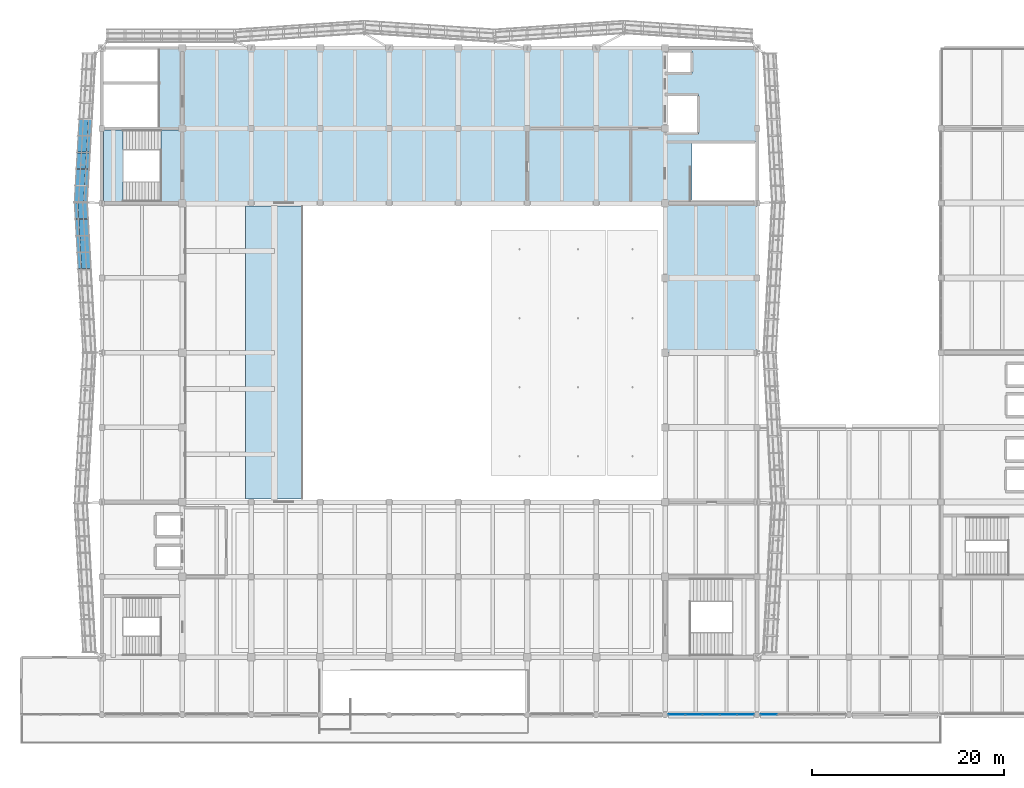
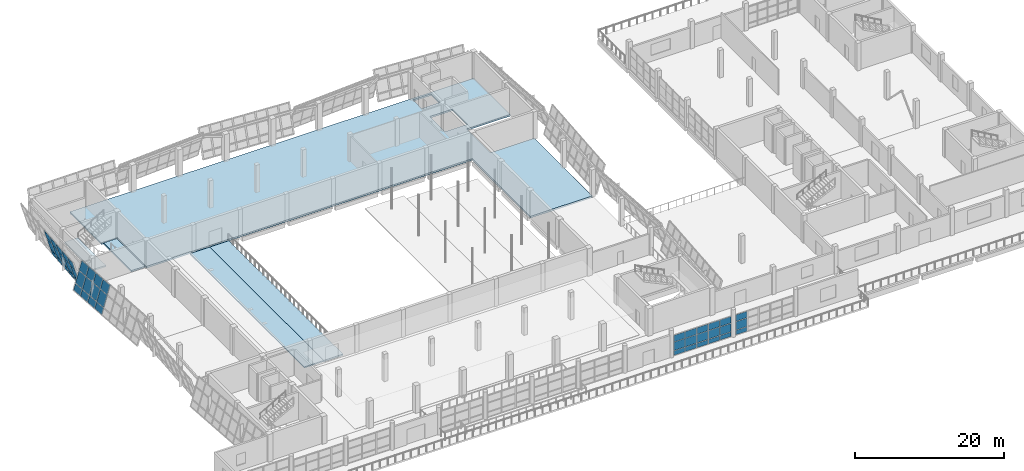
# One storey, part 40 of 71: 45 plates, 5 slabs, 5 elements without a shape of their own.
"""IFC4 building model written with IfcOpenShell, lengths in metres."""

from ifc_helpers import new_model, si_unit, direction, frame, origin, place, context, subcontext, project, spatial, polyline, outline, extrude, material, layer, layer_set, type_object, element, aggregate, save


model = new_model("IFC4")

# Units and contexts
model_context = context("Model", 3, precision=1e-05, world=origin(), true_north=direction((0.0, 1.0)))
body_context = subcontext(model_context, "Body", "Model", "MODEL_VIEW")
ifc_project = project(units=[si_unit("LENGTHUNIT", "METRE"), si_unit("AREAUNIT", "SQUARE_METRE"), si_unit("VOLUMEUNIT", "CUBIC_METRE"), si_unit("PLANEANGLEUNIT", "RADIAN"), si_unit("MASSUNIT", "GRAM", prefix="KILO")], contexts=[model_context])

# Site, building, storey
site_placement = place(None, origin())
site = spatial("IfcSite", under=ifc_project, at=site_placement, CompositionType="ELEMENT")
building_placement = place(site_placement, origin())
building = spatial("IfcBuilding", under=site, at=building_placement, Name="Pellamere Symphony Hall", CompositionType="ELEMENT")
storey_placement = place(building_placement, frame((0.0, 0.0, 15.0)))
storey = spatial("IfcBuildingStorey", under=building, at=storey_placement, Name="L03", CompositionType="ELEMENT", Elevation=15.0)

# Curtain wall, plates
ifc_material_1 = material(Name="Thermally Broken Anodised Aluminium 6063-T6 Curtain Wall", Category="aluminium")
curtain_wall_type_1 = type_object("IfcCurtainWallType", Name="Curtain Wall CW-02 (Winter-Garden South Concourse Curtain Wall)", PredefinedType="NOTDEFINED", material=ifc_material_1)
curtain_wall_1_placement = place(storey_placement, origin())
curtain_wall_1 = element("IfcCurtainWall", 1, at=curtain_wall_1_placement, inside=storey, type_object=curtain_wall_type_1, Name="Winter-Garden South Curtain Wall (L03 Bay 10)", PredefinedType="NOTDEFINED")
ifc_material_2 = material(Name="Triple Low-E Argon Acoustic Glazing 36mm", Category="glass")
ifc_layer_1 = layer(ifc_material_2, 0.035888671875, Name="Triple Low-E Argon Acoustic Glazing 36mm")
ifc_layer_set_1 = layer_set([ifc_layer_1], Name="Triple Low-E Argon Acoustic Glazing 36mm")
plate_type_1 = type_object("IfcPlateType", Name="Facade Panel GL-01 36mm", PredefinedType="CURTAIN_PANEL", material=ifc_layer_set_1)
plate_1_placement = place(storey_placement, frame((109.56494140625, 24.0, 0.06494140625), z_axis=(0.0, -1.0, 0.0), x_axis=(1.0, 0.0, 0.0)))
plate_1 = element("IfcPlate", 2, at=plate_1_placement, type_object=plate_type_1, Name="CW2-093 crystal glass panel 1.1", PredefinedType="CURTAIN_PANEL", context=body_context, shape_type="SweptSolid", body=[
    extrude(outline(polyline([(0.0, 0.0), (1.70263671875, 0.0), (1.70263671875, 0.718505859375), (0.0, 0.718505859375), (0.0, 0.0)])), origin(), (0.0, 0.0, -1.0), 0.035888671875),
])
plate_2_placement = place(storey_placement, frame((109.56494140625, 24.0, 0.848388671875), z_axis=(0.0, -1.0, 0.0), x_axis=(1.0, 0.0, 0.0)))
plate_2 = element("IfcPlate", 3, at=plate_2_placement, type_object=plate_type_1, Name="CW2-093 crystal glass panel 1.2", PredefinedType="CURTAIN_PANEL", context=body_context, shape_type="SweptSolid", body=[
    extrude(outline(polyline([(0.0, 0.0), (1.70263671875, 0.0), (1.70263671875, 1.363037109375), (0.0, 1.363037109375), (0.0, 0.0)])), origin(), (0.0, 0.0, -1.0), 0.035888671875),
])
plate_3_placement = place(storey_placement, frame((109.56494140625, 24.0, 2.276611328125), z_axis=(0.0, -1.0, 0.0), x_axis=(1.0, 0.0, 0.0)))
plate_3 = element("IfcPlate", 4, at=plate_3_placement, type_object=plate_type_1, Name="CW2-093 crystal glass panel 1.3", PredefinedType="CURTAIN_PANEL", context=body_context, shape_type="SweptSolid", body=[
    extrude(outline(polyline([(0.0, 0.0), (1.70263671875, 0.0), (1.70263671875, 1.058349609375), (0.0, 1.058349609375), (0.0, 0.0)])), origin(), (0.0, 0.0, -1.0), 0.035888671875),
])
plate_4_placement = place(storey_placement, frame((111.33251953125, 24.0, 0.06494140625), z_axis=(0.0, -1.0, 0.0), x_axis=(1.0, 0.0, 0.0)))
plate_4 = element("IfcPlate", 5, at=plate_4_placement, type_object=plate_type_1, Name="CW2-093 crystal glass panel 2.1", PredefinedType="CURTAIN_PANEL", context=body_context, shape_type="SweptSolid", body=[
    extrude(outline(polyline([(0.0, 0.0), (1.73486328125, 0.0), (1.73486328125, 0.718505859375), (0.0, 0.718505859375), (0.0, 0.0)])), origin(), (0.0, 0.0, -1.0), 0.035888671875),
])
plate_5_placement = place(storey_placement, frame((111.33251953125, 24.0, 0.848388671875), z_axis=(0.0, -1.0, 0.0), x_axis=(1.0, 0.0, 0.0)))
plate_5 = element("IfcPlate", 6, at=plate_5_placement, type_object=plate_type_1, Name="CW2-093 crystal glass panel 2.2", PredefinedType="CURTAIN_PANEL", context=body_context, shape_type="SweptSolid", body=[
    extrude(outline(polyline([(0.0, 0.0), (1.73486328125, 0.0), (1.73486328125, 1.363037109375), (0.0, 1.363037109375), (0.0, 0.0)])), origin(), (0.0, 0.0, -1.0), 0.035888671875),
])
plate_6_placement = place(storey_placement, frame((111.33251953125, 24.0, 2.276611328125), z_axis=(0.0, -1.0, 0.0), x_axis=(1.0, 0.0, 0.0)))
plate_6 = element("IfcPlate", 7, at=plate_6_placement, type_object=plate_type_1, Name="CW2-093 crystal glass panel 2.3", PredefinedType="CURTAIN_PANEL", context=body_context, shape_type="SweptSolid", body=[
    extrude(outline(polyline([(0.0, 0.0), (1.73486328125, 0.0), (1.73486328125, 1.058349609375), (0.0, 1.058349609375), (0.0, 0.0)])), origin(), (0.0, 0.0, -1.0), 0.035888671875),
])
plate_7_placement = place(storey_placement, frame((113.132568359375, 24.0, 0.06494140625), z_axis=(0.0, -1.0, 0.0), x_axis=(1.0, 0.0, 0.0)))
plate_7 = element("IfcPlate", 8, at=plate_7_placement, type_object=plate_type_1, Name="CW2-093 crystal glass panel 3.1", PredefinedType="CURTAIN_PANEL", context=body_context, shape_type="SweptSolid", body=[
    extrude(outline(polyline([(0.0, 0.0), (1.73486328125, 0.0), (1.73486328125, 0.718505859375), (0.0, 0.718505859375), (0.0, 0.0)])), origin(), (0.0, 0.0, -1.0), 0.035888671875),
])
plate_8_placement = place(storey_placement, frame((113.132568359375, 24.0, 0.848388671875), z_axis=(0.0, -1.0, 0.0), x_axis=(1.0, 0.0, 0.0)))
plate_8 = element("IfcPlate", 9, at=plate_8_placement, type_object=plate_type_1, Name="CW2-093 crystal glass panel 3.2", PredefinedType="CURTAIN_PANEL", context=body_context, shape_type="SweptSolid", body=[
    extrude(outline(polyline([(0.0, 0.0), (1.73486328125, 0.0), (1.73486328125, 1.363037109375), (0.0, 1.363037109375), (0.0, 0.0)])), origin(), (0.0, 0.0, -1.0), 0.035888671875),
])
plate_9_placement = place(storey_placement, frame((113.132568359375, 24.0, 2.276611328125), z_axis=(0.0, -1.0, 0.0), x_axis=(1.0, 0.0, 0.0)))
plate_9 = element("IfcPlate", 10, at=plate_9_placement, type_object=plate_type_1, Name="CW2-093 crystal glass panel 3.3", PredefinedType="CURTAIN_PANEL", context=body_context, shape_type="SweptSolid", body=[
    extrude(outline(polyline([(0.0, 0.0), (1.73486328125, 0.0), (1.73486328125, 1.058349609375), (0.0, 1.058349609375), (0.0, 0.0)])), origin(), (0.0, 0.0, -1.0), 0.035888671875),
])
plate_10_placement = place(storey_placement, frame((114.9326171875, 24.0, 0.06494140625), z_axis=(0.0, -1.0, 0.0), x_axis=(1.0, 0.0, 0.0)))
plate_10 = element("IfcPlate", 11, at=plate_10_placement, type_object=plate_type_1, Name="CW2-093 crystal glass panel 4.1", PredefinedType="CURTAIN_PANEL", context=body_context, shape_type="SweptSolid", body=[
    extrude(outline(polyline([(0.0, 0.0), (1.73486328125, 0.0), (1.73486328125, 0.718505859375), (0.0, 0.718505859375), (0.0, 0.0)])), origin(), (0.0, 0.0, -1.0), 0.035888671875),
])
plate_11_placement = place(storey_placement, frame((114.9326171875, 24.0, 0.848388671875), z_axis=(0.0, -1.0, 0.0), x_axis=(1.0, 0.0, 0.0)))
plate_11 = element("IfcPlate", 12, at=plate_11_placement, type_object=plate_type_1, Name="CW2-093 crystal glass panel 4.2", PredefinedType="CURTAIN_PANEL", context=body_context, shape_type="SweptSolid", body=[
    extrude(outline(polyline([(0.0, 0.0), (1.73486328125, 0.0), (1.73486328125, 1.363037109375), (0.0, 1.363037109375), (0.0, 0.0)])), origin(), (0.0, 0.0, -1.0), 0.035888671875),
])
plate_12_placement = place(storey_placement, frame((114.9326171875, 24.0, 2.276611328125), z_axis=(0.0, -1.0, 0.0), x_axis=(1.0, 0.0, 0.0)))
plate_12 = element("IfcPlate", 13, at=plate_12_placement, type_object=plate_type_1, Name="CW2-093 crystal glass panel 4.3", PredefinedType="CURTAIN_PANEL", context=body_context, shape_type="SweptSolid", body=[
    extrude(outline(polyline([(0.0, 0.0), (1.73486328125, 0.0), (1.73486328125, 1.058349609375), (0.0, 1.058349609375), (0.0, 0.0)])), origin(), (0.0, 0.0, -1.0), 0.035888671875),
])
plate_13_placement = place(storey_placement, frame((116.732421875, 24.0, 0.06494140625), z_axis=(0.0, -1.0, 0.0), x_axis=(1.0, 0.0, 0.0)))
plate_13 = element("IfcPlate", 14, at=plate_13_placement, type_object=plate_type_1, Name="CW2-093 crystal glass panel 5.1", PredefinedType="CURTAIN_PANEL", context=body_context, shape_type="SweptSolid", body=[
    extrude(outline(polyline([(0.0, 0.0), (1.70263671875, 0.0), (1.70263671875, 0.718505859375), (0.0, 0.718505859375), (0.0, 0.0)])), origin(), (0.0, 0.0, -1.0), 0.035888671875),
])
plate_14_placement = place(storey_placement, frame((116.732421875, 24.0, 0.848388671875), z_axis=(0.0, -1.0, 0.0), x_axis=(1.0, 0.0, 0.0)))
plate_14 = element("IfcPlate", 15, at=plate_14_placement, type_object=plate_type_1, Name="CW2-093 crystal glass panel 5.2", PredefinedType="CURTAIN_PANEL", context=body_context, shape_type="SweptSolid", body=[
    extrude(outline(polyline([(0.0, 0.0), (1.70263671875, 0.0), (1.70263671875, 1.363037109375), (0.0, 1.363037109375), (0.0, 0.0)])), origin(), (0.0, 0.0, -1.0), 0.035888671875),
])
plate_15_placement = place(storey_placement, frame((116.732421875, 24.0, 2.276611328125), z_axis=(0.0, -1.0, 0.0), x_axis=(1.0, 0.0, 0.0)))
plate_15 = element("IfcPlate", 16, at=plate_15_placement, type_object=plate_type_1, Name="CW2-093 crystal glass panel 5.3", PredefinedType="CURTAIN_PANEL", context=body_context, shape_type="SweptSolid", body=[
    extrude(outline(polyline([(0.0, 0.0), (1.70263671875, 0.0), (1.70263671875, 1.058349609375), (0.0, 1.058349609375), (0.0, 0.0)])), origin(), (0.0, 0.0, -1.0), 0.035888671875),
])
aggregate(curtain_wall_1, [plate_1, plate_2, plate_3, plate_4, plate_5, plate_6, plate_7, plate_8, plate_9, plate_10, plate_11, plate_12, plate_13, plate_14, plate_15])

curtain_wall_2_placement = place(storey_placement, origin())
curtain_wall_2 = element("IfcCurtainWall", 17, at=curtain_wall_2_placement, inside=storey, type_object=curtain_wall_type_1, Name="Winter-Garden South Curtain Wall (L03 Bay 11)", PredefinedType="NOTDEFINED")
plate_16_placement = place(storey_placement, frame((119.1650390625, 24.0, 0.06494140625), z_axis=(0.0, -1.0, 0.0), x_axis=(1.0, 0.0, 0.0)))
plate_16 = element("IfcPlate", 18, at=plate_16_placement, type_object=plate_type_1, Name="CW2-094 crystal glass panel 1.1", PredefinedType="CURTAIN_PANEL", context=body_context, shape_type="SweptSolid", body=[
    extrude(outline(polyline([(0.0, 0.0), (1.702392578125, 0.0), (1.702392578125, 0.718505859375), (0.0, 0.718505859375), (0.0, 0.0)])), origin(), (0.0, 0.0, -1.0), 0.035888671875),
])
plate_17_placement = place(storey_placement, frame((119.1650390625, 24.0, 0.848388671875), z_axis=(0.0, -1.0, 0.0), x_axis=(1.0, 0.0, 0.0)))
plate_17 = element("IfcPlate", 19, at=plate_17_placement, type_object=plate_type_1, Name="CW2-094 crystal glass panel 1.2", PredefinedType="CURTAIN_PANEL", context=body_context, shape_type="SweptSolid", body=[
    extrude(outline(polyline([(0.0, 0.0), (1.702392578125, 0.0), (1.702392578125, 1.363037109375), (0.0, 1.363037109375), (0.0, 0.0)])), origin(), (0.0, 0.0, -1.0), 0.035888671875),
])
plate_18_placement = place(storey_placement, frame((119.1650390625, 24.0, 2.276611328125), z_axis=(0.0, -1.0, 0.0), x_axis=(1.0, 0.0, 0.0)))
plate_18 = element("IfcPlate", 20, at=plate_18_placement, type_object=plate_type_1, Name="CW2-094 crystal glass panel 1.3", PredefinedType="CURTAIN_PANEL", context=body_context, shape_type="SweptSolid", body=[
    extrude(outline(polyline([(0.0, 0.0), (1.702392578125, 0.0), (1.702392578125, 1.058349609375), (0.0, 1.058349609375), (0.0, 0.0)])), origin(), (0.0, 0.0, -1.0), 0.035888671875),
])
aggregate(curtain_wall_2, [plate_16, plate_17, plate_18])

curtain_wall_type_2 = type_object("IfcCurtainWallType", Name="Curtain Wall CW-01 (Tilted Faceted Crystal Low-Iron Curtain Wall)", PredefinedType="NOTDEFINED", material=ifc_material_1)
curtain_wall_3_placement = place(storey_placement, origin())
curtain_wall_3 = element("IfcCurtainWall", 21, at=curtain_wall_3_placement, inside=storey, type_object=curtain_wall_type_2, Name="Crystal Faceted Curtain Wall CW-CR15 (L03)", PredefinedType="NOTDEFINED")
ifc_material_3 = material(Name="Triple Laminated Acoustic Crystal Glazing 42mm", Category="glass")
ifc_layer_2 = layer(ifc_material_3, 0.0419921875, Name="Triple Laminated Acoustic Crystal Glazing 42mm")
ifc_layer_set_2 = layer_set([ifc_layer_2], Name="Triple Laminated Acoustic Crystal Glazing 42mm")
plate_type_2 = type_object("IfcPlateType", Name="Facade Panel GL-02 42mm", PredefinedType="CURTAIN_PANEL", material=ifc_layer_set_2)
plate_19_placement = place(storey_placement, frame((49.32666015625, 86.129150390625, 0.072021484375), z_axis=(0.957304871124, -0.05524267768, 0.283752762604), x_axis=(-0.057610619545, -0.998339129012, 0.0)))
plate_19 = element("IfcPlate", 22, at=plate_19_placement, type_object=plate_type_2, Name="CW1-040 crystal glass panel 5.1", PredefinedType="CURTAIN_PANEL", context=body_context, shape_type="SweptSolid", body=[
    extrude(outline(polyline([(0.0, 0.0), (1.6612063149993754, 0.0), (1.677803124341095, -1.0135847182066644), (0.01659680934171927, -1.0135847182066644), (0.0, 0.0)])), origin(), (0.0, 0.0, -1.0), 0.0419921875),
])
plate_20_placement = place(storey_placement, frame((49.017333984375, 86.129150390625, 1.115966796875), z_axis=(0.957351997497, -0.055245397176, 0.283593192759), x_axis=(-0.057610619545, -0.998339129012, 0.0)))
plate_20 = element("IfcPlate", 23, at=plate_20_placement, type_object=plate_type_2, Name="CW1-040 crystal glass panel 5.2", PredefinedType="CURTAIN_PANEL", context=body_context, shape_type="SweptSolid", body=[
    extrude(outline(polyline([(0.0, 0.0), (1.6612063149993754, 3.469446951953614e-18), (1.6922339094127932, -1.8959542407330272), (0.031027594413417556, -1.8959542407330272), (0.0, 0.0)])), origin(), (0.0, 0.0, -1.0), 0.0419921875),
])
plate_21_placement = place(storey_placement, frame((48.45751953125, 86.129150390625, 3.005859375), z_axis=(0.957330592308, -0.055244161959, 0.283665682802), x_axis=(-0.057610619545, -0.998339129012, 0.0)))
plate_21 = element("IfcPlate", 24, at=plate_21_placement, type_object=plate_type_2, Name="CW1-040 crystal glass panel 5.3", PredefinedType="CURTAIN_PANEL", context=body_context, shape_type="SweptSolid", body=[
    extrude(outline(polyline([(0.0, 0.0), (1.6612063149993754, 0.0), (1.6854826649348056, -1.4830375166207674), (0.024276349935430055, -1.4830375166207674), (0.0, 0.0)])), origin(), (0.0, 0.0, -1.0), 0.0419921875),
])
plate_22_placement = place(storey_placement, frame((49.2265625, 84.39599609375, 0.072021484375), z_axis=(0.957304871124, -0.05524267768, 0.283752762604), x_axis=(-0.057610619545, -0.998339129012, 0.0)))
plate_22 = element("IfcPlate", 25, at=plate_22_placement, type_object=plate_type_2, Name="CW1-040 crystal glass panel 6.1", PredefinedType="CURTAIN_PANEL", context=body_context, shape_type="SweptSolid", body=[
    extrude(outline(polyline([(0.0, 0.0), (1.6612063149993754, 0.0), (1.677803124341095, -1.0135847182066644), (0.01659680934171927, -1.0135847182066644), (0.0, 0.0)])), origin(), (0.0, 0.0, -1.0), 0.0419921875),
])
plate_23_placement = place(storey_placement, frame((48.917236328125, 84.39599609375, 1.115966796875), z_axis=(0.957351997497, -0.055245397176, 0.283593192759), x_axis=(-0.057610619545, -0.998339129012, 0.0)))
plate_23 = element("IfcPlate", 26, at=plate_23_placement, type_object=plate_type_2, Name="CW1-040 crystal glass panel 6.2", PredefinedType="CURTAIN_PANEL", context=body_context, shape_type="SweptSolid", body=[
    extrude(outline(polyline([(0.0, 0.0), (1.6612063149993754, 3.469446951953614e-18), (1.6922339094127932, -1.8959542407330272), (0.031027594413417556, -1.8959542407330272), (0.0, 0.0)])), origin(), (0.0, 0.0, -1.0), 0.0419921875),
])
plate_24_placement = place(storey_placement, frame((48.357421875, 84.39599609375, 3.005859375), z_axis=(0.957356629816, -0.055175198082, 0.283591221416), x_axis=(-0.057543270249, -0.998343013023, 1.9950465e-05)))
plate_24 = element("IfcPlate", 27, at=plate_24_placement, type_object=plate_type_2, Name="CW1-040 crystal glass panel 6.3", PredefinedType="CURTAIN_PANEL", context=body_context, shape_type="SweptSolid", body=[
    extrude(outline(polyline([(0.0, 0.0), (1.661206310888692, 0.0), (1.6854686040128641, -1.4829683910039115), (0.024276341774135235, -1.4830375121498305), (0.0, 0.0)])), origin(), (0.0, 0.0, -1.0), 0.0419921875),
])
plate_25_placement = place(storey_placement, frame((49.12646484375, 82.66259765625, 0.072021484375), z_axis=(0.95737017047, -0.055246445874, 0.283531633003), x_axis=(-0.057610619545, -0.998339129012, 0.0)))
plate_25 = element("IfcPlate", 28, at=plate_25_placement, type_object=plate_type_2, Name="CW1-040 crystal glass panel 7.1", PredefinedType="CURTAIN_PANEL", context=body_context, shape_type="SweptSolid", body=[
    extrude(outline(polyline([(0.0, 0.0), (1.6612063149993754, 3.469446951953614e-18), (1.6777890592484324, -1.0135155846352601), (0.0165827442490568, -1.0135155846352604), (0.0, 0.0)])), origin(), (0.0, 0.0, -1.0), 0.0419921875),
])
plate_26_placement = place(storey_placement, frame((48.8173828125, 82.66259765625, 1.115966796875), z_axis=(0.957351997497, -0.055245397176, 0.283593192759), x_axis=(-0.057610619545, -0.998339129012, 0.0)))
plate_26 = element("IfcPlate", 29, at=plate_26_placement, type_object=plate_type_2, Name="CW1-040 crystal glass panel 7.2", PredefinedType="CURTAIN_PANEL", context=body_context, shape_type="SweptSolid", body=[
    extrude(outline(polyline([(0.0, 0.0), (1.6612063149993754, 3.469446951953614e-18), (1.6922339094127932, -1.8959542407330272), (0.031027594413417556, -1.8959542407330272), (0.0, 0.0)])), origin(), (0.0, 0.0, -1.0), 0.0419921875),
])
plate_27_placement = place(storey_placement, frame((48.25732421875, 82.66259765625, 3.005859375), z_axis=(0.957375213306, -0.055246736879, 0.283514548147), x_axis=(-0.057610619545, -0.998339129012, 0.0)))
plate_27 = element("IfcPlate", 30, at=plate_27_placement, type_object=plate_type_2, Name="CW1-040 crystal glass panel 7.3", PredefinedType="CURTAIN_PANEL", context=body_context, shape_type="SweptSolid", body=[
    extrude(outline(polyline([(0.0, 0.0), (1.6612063149993754, 6.938893903907228e-18), (1.685468599842143, -1.482968395744147), (0.02426228484276758, -1.482968395744147), (0.0, 0.0)])), origin(), (0.0, 0.0, -1.0), 0.0419921875),
])
plate_28_placement = place(storey_placement, frame((49.026611328125, 80.92919921875, 0.072021484375), z_axis=(0.957304871124, -0.05524267768, 0.283752762604), x_axis=(-0.057610619545, -0.998339129012, 0.0)))
plate_28 = element("IfcPlate", 31, at=plate_28_placement, type_object=plate_type_2, Name="CW1-040 crystal glass panel 8.1", PredefinedType="CURTAIN_PANEL", context=body_context, shape_type="SweptSolid", body=[
    extrude(outline(polyline([(0.0, 0.0), (1.6612063149993754, 0.0), (1.677803124341095, -1.0135847182066644), (0.01659680934171927, -1.0135847182066644), (0.0, 0.0)])), origin(), (0.0, 0.0, -1.0), 0.0419921875),
])
plate_29_placement = place(storey_placement, frame((48.71728515625, 80.92919921875, 1.115966796875), z_axis=(0.957351997497, -0.055245397176, 0.283593192759), x_axis=(-0.057610619545, -0.998339129012, 0.0)))
plate_29 = element("IfcPlate", 32, at=plate_29_placement, type_object=plate_type_2, Name="CW1-040 crystal glass panel 8.2", PredefinedType="CURTAIN_PANEL", context=body_context, shape_type="SweptSolid", body=[
    extrude(outline(polyline([(0.0, 0.0), (1.6612063149993754, 3.469446951953614e-18), (1.6922339094127932, -1.8959542407330272), (0.031027594413417556, -1.8959542407330272), (0.0, 0.0)])), origin(), (0.0, 0.0, -1.0), 0.0419921875),
])
plate_30_placement = place(storey_placement, frame((48.157470703125, 80.92919921875, 3.005859375), z_axis=(0.957330592308, -0.055244161959, 0.283665682802), x_axis=(-0.057610619545, -0.998339129012, 0.0)))
plate_30 = element("IfcPlate", 33, at=plate_30_placement, type_object=plate_type_2, Name="CW1-040 crystal glass panel 8.3", PredefinedType="CURTAIN_PANEL", context=body_context, shape_type="SweptSolid", body=[
    extrude(outline(polyline([(0.0, 0.0), (1.6612063149993754, 0.0), (1.6854826649348056, -1.4830375166207674), (0.024276349935430055, -1.4830375166207674), (0.0, 0.0)])), origin(), (0.0, 0.0, -1.0), 0.0419921875),
])
plate_31_placement = place(storey_placement, frame((48.926513671875, 79.19580078125, 0.072021484375), z_axis=(0.957371033771, -0.0552301711, 0.283531888675), x_axis=(-0.057593652861, -0.998340107954, 0.0)))
plate_31 = element("IfcPlate", 34, at=plate_31_placement, type_object=plate_type_2, Name="CW1-040 crystal glass panel 9.1", PredefinedType="CURTAIN_PANEL", context=body_context, shape_type="SweptSolid", body=[
    extrude(outline(polyline([(0.0, 0.0), (1.6235445180063734, 6.938893903907228e-18), (1.6401223785345782, -1.0135156645290149), (0.016577860528204754, -1.0135156645290149), (0.0, 0.0)])), origin(), (0.0, 0.0, -1.0), 0.0419921875),
])
plate_32_placement = place(storey_placement, frame((48.6171875, 79.19580078125, 1.115966796875), z_axis=(0.95735286075, -0.055229122709, 0.283593448478), x_axis=(-0.057593652861, -0.998340107954, 0.0)))
plate_32 = element("IfcPlate", 35, at=plate_32_placement, type_object=plate_type_2, Name="CW1-040 crystal glass panel 9.2", PredefinedType="CURTAIN_PANEL", context=body_context, shape_type="SweptSolid", body=[
    extrude(outline(polyline([(0.0, 0.0), (1.6235445180063734, 0.0), (1.6545629746011314, -1.8959543902528653), (0.031018456594758003, -1.8959543902528653), (0.0, 0.0)])), origin(), (0.0, 0.0, -1.0), 0.0419921875),
])
plate_33_placement = place(storey_placement, frame((48.057373046875, 79.19580078125, 3.005859375), z_axis=(0.957376076622, -0.055230462019, 0.283514803806), x_axis=(-0.057593652861, -0.998340107954, 0.0)))
plate_33 = element("IfcPlate", 36, at=plate_33_placement, type_object=plate_type_2, Name="CW1-040 crystal glass panel 9.3", PredefinedType="CURTAIN_PANEL", context=body_context, shape_type="SweptSolid", body=[
    extrude(outline(polyline([(0.0, 0.0), (1.6235445180063734, 0.0), (1.647799657456037, -1.4829685126300012), (0.024255139449663444, -1.4829685126300012), (0.0, 0.0)])), origin(), (0.0, 0.0, -1.0), 0.0419921875),
])
aggregate(curtain_wall_3, [plate_19, plate_20, plate_21, plate_22, plate_23, plate_24, plate_25, plate_26, plate_27, plate_28, plate_29, plate_30, plate_31, plate_32, plate_33])

curtain_wall_4_placement = place(storey_placement, origin())
curtain_wall_4 = element("IfcCurtainWall", 37, at=curtain_wall_4_placement, inside=storey, type_object=curtain_wall_type_2, Name="Crystal Faceted Curtain Wall CW-CR16 (L03)", PredefinedType="NOTDEFINED")
ifc_material_4 = material(Name="Vacuum-Insulated Bronze-Anodised Aluminium Spandrel Panel", Category="aluminium")
ifc_layer_3 = layer(ifc_material_4, 0.06494140625, Name="Vacuum-Insulated Bronze-Anodised Aluminium Spandrel Panel")
ifc_layer_set_3 = layer_set([ifc_layer_3], Name="Vacuum-Insulated Bronze-Anodised Aluminium Spandrel Panel")
plate_type_3 = type_object("IfcPlateType", Name="Facade Panel SP-01 65mm", PredefinedType="CURTAIN_PANEL", material=ifc_layer_set_3)
plate_34_placement = place(storey_placement, frame((47.54248046875, 77.425048828125, 0.072021484375), z_axis=(-0.957354651322, -0.054920794133, 0.283647277376), x_axis=(0.057279062662, -0.998358206542, 2.0277049e-05)))
plate_34 = element("IfcPlate", 38, at=plate_34_placement, type_object=plate_type_3, Name="CW1-045 crystal glass panel 1.1", PredefinedType="CURTAIN_PANEL", context=body_context, shape_type="SweptSolid", body=[
    extrude(outline(polyline([(0.0, 0.0), (1.6347704518540747, 0.0), (1.6512774679209214, 1.0135168141025692), (0.016521000213004483, 1.0135859499603574), (0.0, 0.0)])), origin(), (0.0, 0.0, -1.0), 0.06494140625),
])
plate_35_placement = place(storey_placement, frame((47.851806640625, 77.425048828125, 1.115966796875), z_axis=(-0.957372886168, -0.054850234166, 0.283599380541), x_axis=(0.057198647566, -0.998362817175, 0.0)))
plate_35 = element("IfcPlate", 39, at=plate_35_placement, type_object=plate_type_3, Name="CW1-045 crystal glass panel 1.2", PredefinedType="CURTAIN_PANEL", context=body_context, shape_type="SweptSolid", body=[
    extrude(outline(polyline([(0.0, 0.0), (1.6347564733470132, 0.0), (1.665562190273358, 1.8959578588073336), (0.03080571692634491, 1.8959578588073336), (0.0, 0.0)])), origin(), (0.0, 0.0, -1.0), 0.06494140625),
])
plate_36_placement = place(storey_placement, frame((48.41162109375, 77.425048828125, 3.005859375), z_axis=(-0.957370031361, -0.054921676444, 0.283595191264), x_axis=(0.057279060463, -0.998358206668, 2.0273651e-05)))
plate_36 = element("IfcPlate", 40, at=plate_36_placement, type_object=plate_type_3, Name="CW1-045 crystal glass panel 1.3", PredefinedType="CURTAIN_PANEL", context=body_context, shape_type="SweptSolid", body=[
    extrude(outline(polyline([(0.0, 0.0), (1.6347704518539405, -3.469446951953614e-18), (1.6589219345971065, 1.4829701997900355), (0.02416546688878671, 1.4830393229524153), (0.0, 0.0)])), origin(), (0.0, 0.0, -1.0), 0.06494140625),
])
plate_37_placement = place(storey_placement, frame((47.640380859375, 75.718017578125, 0.072021484375), z_axis=(-0.957324034181, -0.054880231266, 0.283758442686), x_axis=(0.057232737422, -0.998360863499, 0.0)))
plate_37 = element("IfcPlate", 41, at=plate_37_placement, type_object=plate_type_3, Name="CW1-045 crystal glass panel 2.1", PredefinedType="CURTAIN_PANEL", context=body_context, shape_type="SweptSolid", body=[
    extrude(outline(polyline([(0.0, 0.0), (1.6721745160346768, -6.938893903907228e-18), (1.6886624628505897, 1.013586494914077), (0.01648794681591293, 1.013586494914077), (0.0, 0.0)])), origin(), (0.0, 0.0, -1.0), 0.06494140625),
])
plate_38_placement = place(storey_placement, frame((47.94970703125, 75.718017578125, 1.115966796875), z_axis=(-0.957371163384, -0.054882933028, 0.283598870206), x_axis=(0.057232737422, -0.998360863499, 0.0)))
plate_38 = element("IfcPlate", 42, at=plate_38_placement, type_object=plate_type_3, Name="CW1-045 crystal glass panel 2.2", PredefinedType="CURTAIN_PANEL", context=body_context, shape_type="SweptSolid", body=[
    extrude(outline(polyline([(0.0, 0.0), (1.6721745160346768, 3.469446951953614e-18), (1.7029985928786633, 1.8959575604045968), (0.030824076843986373, 1.895957560404597), (0.0, 0.0)])), origin(), (0.0, 0.0, -1.0), 0.06494140625),
])
plate_39_placement = place(storey_placement, frame((48.509521484375, 75.718017578125, 3.005859375), z_axis=(-0.95734975691, -0.054881705866, 0.283671361447), x_axis=(0.057232737422, -0.998360863499, 0.0)))
plate_39 = element("IfcPlate", 43, at=plate_39_placement, type_object=plate_type_3, Name="CW1-045 crystal glass panel 2.3", PredefinedType="CURTAIN_PANEL", context=body_context, shape_type="SweptSolid", body=[
    extrude(outline(polyline([(0.0, 0.0), (1.6721745160346768, -3.469446951953614e-18), (1.6962916314620207, 1.4830401146342416), (0.024117115427343825, 1.4830401146342416), (0.0, 0.0)])), origin(), (0.0, 0.0, -1.0), 0.06494140625),
])
plate_40_placement = place(storey_placement, frame((47.740478515625, 73.9736328125, 0.072021484375), z_axis=(-0.957389337449, -0.054883974887, 0.283537309433), x_axis=(0.057232737422, -0.998360863499, 0.0)))
plate_40 = element("IfcPlate", 44, at=plate_40_placement, type_object=plate_type_3, Name="CW1-045 crystal glass panel 3.1", PredefinedType="CURTAIN_PANEL", context=body_context, shape_type="SweptSolid", body=[
    extrude(outline(polyline([(0.0, 0.0), (1.6721745160346768, 3.469446951953614e-18), (1.688648490014305, 1.01351735845357), (0.016473973979628256, 1.01351735845357), (0.0, 0.0)])), origin(), (0.0, 0.0, -1.0), 0.06494140625),
])
plate_41_placement = place(storey_placement, frame((48.0498046875, 73.9736328125, 1.115966796875), z_axis=(-0.957371163384, -0.054882933028, 0.283598870206), x_axis=(0.057232737422, -0.998360863499, 0.0)))
plate_41 = element("IfcPlate", 45, at=plate_41_placement, type_object=plate_type_3, Name="CW1-045 crystal glass panel 3.2", PredefinedType="CURTAIN_PANEL", context=body_context, shape_type="SweptSolid", body=[
    extrude(outline(polyline([(0.0, 0.0), (1.6721745160346768, 3.469446951953614e-18), (1.7029985928786633, 1.8959575604045968), (0.030824076843986373, 1.895957560404597), (0.0, 0.0)])), origin(), (0.0, 0.0, -1.0), 0.06494140625),
])
plate_42_placement = place(storey_placement, frame((48.609619140625, 73.9736328125, 3.005859375), z_axis=(-0.957394380588, -0.054884263994, 0.283520224294), x_axis=(0.057232737422, -0.998360863499, 0.0)))
plate_42 = element("IfcPlate", 46, at=plate_42_placement, type_object=plate_type_3, Name="CW1-045 crystal glass panel 3.3", PredefinedType="CURTAIN_PANEL", context=body_context, shape_type="SweptSolid", body=[
    extrude(outline(polyline([(0.0, 0.0), (1.6721745160346768, 3.469446951953614e-18), (1.696277658625736, 1.482970990869004), (0.02410314259105915, 1.482970990869004), (0.0, 0.0)])), origin(), (0.0, 0.0, -1.0), 0.06494140625),
])
plate_43_placement = place(storey_placement, frame((47.84033203125, 72.229248046875, 0.072021484375), z_axis=(-0.957324455748, -0.054872230831, 0.283758567642), x_axis=(0.057224396245, -0.998361341637, 0.0)))
plate_43 = element("IfcPlate", 47, at=plate_43_placement, type_object=plate_type_3, Name="CW1-045 crystal glass panel 4.1", PredefinedType="CURTAIN_PANEL", context=body_context, shape_type="SweptSolid", body=[
    extrude(outline(polyline([(0.0, 0.0), (1.6724182565382377, 0.0), (1.6889038003784336, 1.0135865340002803), (0.016485543840195648, 1.0135865340002805), (0.0, 0.0)])), origin(), (0.0, 0.0, -1.0), 0.06494140625),
])
plate_44_placement = place(storey_placement, frame((48.149658203125, 72.229248046875, 1.115966796875), z_axis=(-0.957371585014, -0.054874932201, 0.283598995104), x_axis=(0.057224396245, -0.998361341637, 0.0)))
plate_44 = element("IfcPlate", 48, at=plate_44_placement, type_object=plate_type_3, Name="CW1-045 crystal glass panel 4.2", PredefinedType="CURTAIN_PANEL", context=body_context, shape_type="SweptSolid", body=[
    extrude(outline(polyline([(0.0, 0.0), (1.6724182565382377, 3.469446951953614e-18), (1.703237841039485, 1.895957633434831), (0.030819584501247117, 1.895957633434831), (0.0, 0.0)])), origin(), (0.0, 0.0, -1.0), 0.06494140625),
])
plate_45_placement = place(storey_placement, frame((48.70947265625, 72.229248046875, 3.005859375), z_axis=(-0.957350178511, -0.054873705217, 0.283671486371), x_axis=(0.057224396245, -0.998361341637, 0.0)))
plate_45 = element("IfcPlate", 49, at=plate_45_placement, type_object=plate_type_3, Name="CW1-045 crystal glass panel 4.3", PredefinedType="CURTAIN_PANEL", context=body_context, shape_type="SweptSolid", body=[
    extrude(outline(polyline([(0.0, 0.0), (1.6724182565382377, 3.469446951953614e-18), (1.69653185710449, 1.48304017178855), (0.024113600566252277, 1.48304017178855), (0.0, 0.0)])), origin(), (0.0, 0.0, -1.0), 0.06494140625),
])
aggregate(curtain_wall_4, [plate_34, plate_35, plate_36, plate_37, plate_38, plate_39, plate_40, plate_41, plate_42, plate_43, plate_44, plate_45])

# Stair, slabs
ifc_material_5 = material(Name="Concrete 40 MPa", Category="concrete")
stair_type = type_object("IfcStairType", Name="Stair ST-B W2050", PredefinedType="HALF_TURN_STAIR", material=ifc_material_5)
stair_placement = place(storey_placement, origin())
stair = element("IfcStair", 50, at=stair_placement, inside=storey, type_object=stair_type, Name="Exit Stair ST07-L03 (L03 to L04)", PredefinedType="HALF_TURN_STAIR")
ifc_layer_4 = layer(ifc_material_5, 0.219970703125, Name="Concrete 40 MPa")
ifc_layer_set_4 = layer_set([ifc_layer_4], Name="Concrete 40 MPa")
slab_type_1 = type_object("IfcSlabType", Name="Stair Landing SL-01 220mm", PredefinedType="LANDING", material=ifc_layer_set_4)
slab_1_placement = place(storey_placement, frame((0.0, 0.0, -0.219970703125)))
slab_1 = element("IfcSlab", 51, at=slab_1_placement, type_object=slab_type_1, Name="Stair ST07-L03 Bottom Landing (L03)", PredefinedType="LANDING", context=body_context, shape_type="SweptSolid", body=[
    extrude(outline(polyline([(56.574951171875, 77.56005859375), (58.639892578125, 77.56005859375), (58.639892578125, 85.0400390625), (56.574951171875, 85.0400390625), (56.574951171875, 77.56005859375)])), origin(), (0.0, 0.0, 1.0), 0.219970703125),
])
slab_2_placement = place(storey_placement, frame((0.0, 0.0, 2.030029296875)))
slab_2 = element("IfcSlab", 52, at=slab_2_placement, type_object=slab_type_1, Name="Stair ST07-L03 Half Landing (L03)", PredefinedType="LANDING", context=body_context, shape_type="SweptSolid", body=[
    extrude(outline(polyline([(50.56005859375, 77.56005859375), (52.625, 77.56005859375), (52.625, 85.0400390625), (50.56005859375, 85.0400390625), (50.56005859375, 77.56005859375)])), origin(), (0.0, 0.0, 1.0), 0.219970703125),
])
aggregate(stair, [slab_1, slab_2])

# Slabs
ifc_material_6 = material(Name="Architectural warm-pigmented concrete 40 MPa", Category="concrete")
ifc_layer_5 = layer(ifc_material_6, 0.239990234375, Name="Architectural warm-pigmented concrete 40 MPa")
ifc_layer_set_5 = layer_set([ifc_layer_5], Name="Architectural warm-pigmented concrete 40 MPa")
slab_type_2 = type_object("IfcSlabType", Name="Stair Landing SL-02 240mm", PredefinedType="LANDING", material=ifc_layer_set_5)
slab_3_placement = place(storey_placement, frame((0.0, 0.0, -0.239990234375)))
element("IfcSlab", 53, at=slab_3_placement, inside=storey, type_object=slab_type_2, Name="Main Hall Choir Gallery Cross-Aisle Concourse", PredefinedType="LANDING", context=body_context, shape_type="SweptSolid", body=[
    extrude(outline(polyline([(68.39990234375, 46.5), (71.39990234375, 46.5), (71.39990234375, 77.10009765625), (68.39990234375, 77.10009765625), (68.39990234375, 46.5)])), origin(), (0.0, 0.0, 1.0), 0.239990234375),
])
ifc_layer_6 = layer(ifc_material_5, 0.280029296875, Name="Concrete 40 MPa")
ifc_layer_set_6 = layer_set([ifc_layer_6], Name="Concrete 40 MPa")
slab_type_3 = type_object("IfcSlabType", Name="Structural Slab FS-03 280mm", PredefinedType="FLOOR", material=ifc_layer_set_6)
slab_4_placement = place(storey_placement, frame((0.0, 0.0, -0.280029296875)))
element("IfcSlab", 54, at=slab_4_placement, inside=storey, type_object=slab_type_3, Name="Floor Slab L03-V1N-1", PredefinedType="FLOOR", context=body_context, shape_type="SweptSolid", body=[
    extrude(outline(polyline([(118.800048828125, 93.60009765625), (118.800048828125, 83.800048828125), (112.02490234375, 83.800048828125), (112.02490234375, 77.39990234375), (118.800048828125, 77.39990234375), (118.800048828125, 61.800048828125), (109.199951171875, 61.800048828125), (109.199951171875, 77.39990234375), (58.800048828125, 77.39990234375), (58.800048828125, 85.199951171875), (56.324951171875, 85.199951171875), (56.324951171875, 93.60009765625), (118.800048828125, 93.60009765625)]), holes=[polyline([(112.699951171875, 88.75), (109.199951171875, 88.75), (109.199951171875, 84.64990234375), (112.699951171875, 84.64990234375), (112.699951171875, 88.75)]), polyline([(112.0, 90.925048828125), (112.0, 93.27490234375), (109.199951171875, 93.27490234375), (109.199951171875, 90.925048828125), (112.0, 90.925048828125)])]), origin(), (0.0, 0.0, 1.0), 0.280029296875),
])
ifc_material_7 = material(Name="Precast concrete 40 MPa", Category="concrete")
ifc_layer_7 = layer(ifc_material_7, 0.199951171875, Name="Precast concrete 40 MPa")
ifc_layer_set_7 = layer_set([ifc_layer_7], Name="Precast concrete 40 MPa")
slab_type_4 = type_object("IfcSlabType", Name="Structural Slab ST-T2 200mm", PredefinedType="USERDEFINED", material=ifc_layer_set_7)
slab_5_placement = place(storey_placement, frame((0.0, 0.0, -0.199951171875)))
element("IfcSlab", 55, at=slab_5_placement, inside=storey, type_object=slab_type_4, Name="Stand Choir and Acoustic Gallery Bay 1", ObjectType="SEATING TIER", PredefinedType="USERDEFINED", context=body_context, shape_type="SweptSolid", body=[
    extrude(outline(polyline([(65.39990234375, 46.5), (65.39990234375, 77.10009765625), (68.39990234375, 77.10009765625), (68.39990234375, 46.5), (65.39990234375, 46.5)])), origin(), (0.0, 0.0, 1.0), 0.199951171875),
])

save(model, "model.ifc")
